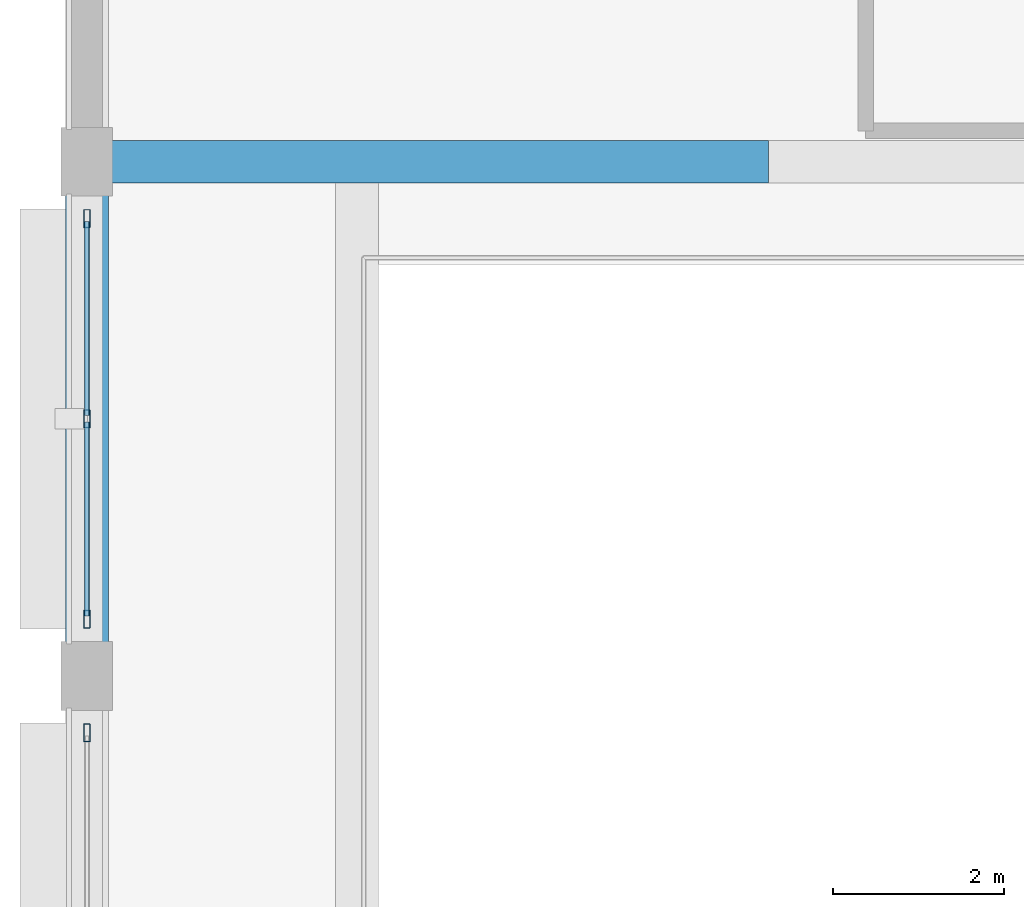
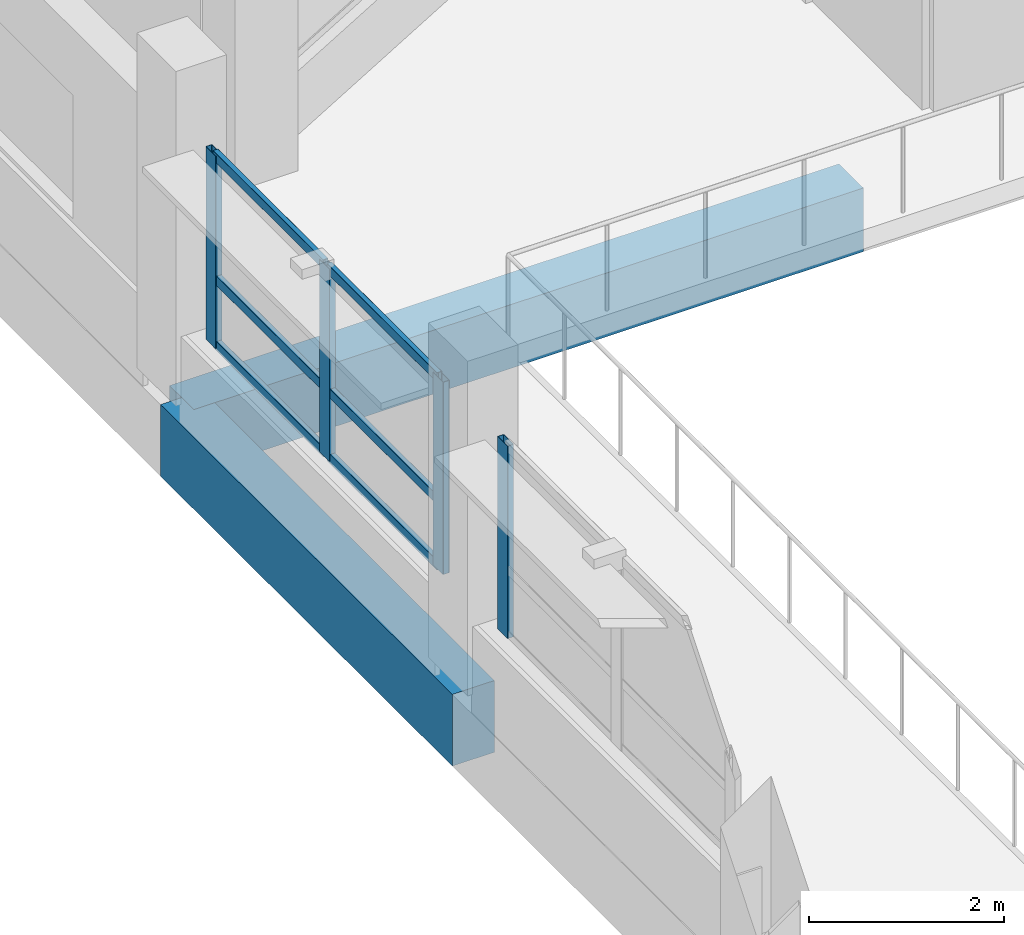
# One storey, part 23 of 128: 10 members, 2 beams, 2 elements without a shape of their own.
"""IFC4 building model written with IfcOpenShell, lengths in metres."""

from ifc_helpers import new_model, si_unit, direction, frame, origin, origin_2d, place, context, subcontext, project, spatial, rectangle, hollow_rectangle, extrude, material, layer, layer_set, material_profile, profile_set, type_object, element, aggregate, save


model = new_model("IFC4")

# Units and contexts
model_context = context("Model", 3, precision=1e-05, world=origin(), true_north=direction((0.0, 1.0)))
body_context = subcontext(model_context, "Body", "Model", "MODEL_VIEW")
ifc_project = project(units=[si_unit("LENGTHUNIT", "METRE"), si_unit("AREAUNIT", "SQUARE_METRE"), si_unit("VOLUMEUNIT", "CUBIC_METRE"), si_unit("PLANEANGLEUNIT", "RADIAN"), si_unit("MASSUNIT", "GRAM", prefix="KILO")], contexts=[model_context])

# Site, building, storey
site_placement = place(None, origin())
site = spatial("IfcSite", under=ifc_project, at=site_placement, CompositionType="ELEMENT")
building_placement = place(site_placement, origin())
building = spatial("IfcBuilding", under=site, at=building_placement, Name="Vespera Passage Community Centre", CompositionType="ELEMENT")
storey_placement = place(building_placement, frame((0.0, 0.0, 4.5)))
storey = spatial("IfcBuildingStorey", under=building, at=storey_placement, Name="L01", CompositionType="ELEMENT", Elevation=4.5)

# Beams
ifc_material_1 = material(Name="Concrete f'c 35 MPa", Category="concrete")
ifc_material_profile_1 = material_profile(ifc_material_1, rectangle(XDim=0.5, YDim=0.800048828125, at=origin_2d()), Name="RC500X800")
ifc_profile_set_1 = profile_set([ifc_material_profile_1], Name="Concrete f'c 35 MPa")
beam_type_1 = type_object("IfcBeamType", Name="BM-G-500X800", PredefinedType="BEAM", material=ifc_profile_set_1)
beam_1_placement = place(storey_placement, frame((4.050048828125, 43.0, -0.639892578125), z_axis=(1.0, 0.0, 0.0), x_axis=(0.0, 1.0, 0.0)))
element("IfcBeam", 1, at=beam_1_placement, inside=storey, type_object=beam_type_1, Name="V1 L01 N Gallery Girder 1", PredefinedType="BEAM", context=body_context, shape_type="SweptSolid", body=[
    extrude(rectangle(XDim=0.5, YDim=0.800048828125, at=origin_2d()), origin(), (0.0, 0.0, 1.0), 7.949951171875),
])
ifc_material_2 = material(Name="Concrete f'c 45 MPa", Category="concrete")
ifc_material_profile_2 = material_profile(ifc_material_2, rectangle(XDim=0.5, YDim=0.89990234375, at=origin_2d()), Name="RC500X900")
ifc_profile_set_2 = profile_set([ifc_material_profile_2], Name="Concrete f'c 45 MPa")
beam_type_2 = type_object("IfcBeamType", Name="BM-SP-500X900E", PredefinedType="SPANDREL", material=ifc_profile_set_2)
beam_2_placement = place(storey_placement, frame((4.050048828125, 37.0, -0.68994140625), z_axis=(0.0, 1.0, 0.0), x_axis=(-1.0, 0.0, 0.0)))
element("IfcBeam", 2, at=beam_2_placement, inside=storey, type_object=beam_type_2, Name="V1 L01 Spandrel W6", PredefinedType="SPANDREL", context=body_context, shape_type="SweptSolid", body=[
    extrude(rectangle(XDim=0.5, YDim=0.89990234375, at=origin_2d()), origin(), (0.0, 0.0, 1.0), 6.0),
])

# Curtain wall, member
ifc_material_3 = material(Name="Anodized aluminium 6063-T6", Category="aluminium")
ifc_layer = layer(ifc_material_3, 0.159912109375)
ifc_layer_set = layer_set([ifc_layer], Name="Anodized aluminium 6063-T6")
curtain_wall_type = type_object("IfcCurtainWallType", Name="CW-84E", PredefinedType="NOTDEFINED", material=ifc_layer_set)
curtain_wall_1_placement = place(storey_placement, origin())
curtain_wall_1 = element("IfcCurtainWall", 3, at=curtain_wall_1_placement, inside=storey, type_object=curtain_wall_type, Name="Main Hall Acoustic Curtain Wall L01 W5", PredefinedType="NOTDEFINED")
ifc_material_4 = material(Name="Anodized aluminium 6063-T6", Category="aluminium")
ifc_material_profile_3 = material_profile(ifc_material_4, hollow_rectangle(XDim=0.074951171875, YDim=0.2099609375, WallThickness=0.0048828125, InnerFilletRadius=0.00244140625, OuterFilletRadius=0.0048828125, at=origin_2d()), Name="ALU210X75X5")
ifc_profile_set_3 = profile_set([ifc_material_profile_3], Name="Anodized aluminium 6063-T6")
member_type_1 = type_object("IfcMemberType", Name="MB-CWM-210E", PredefinedType="MULLION", material=ifc_profile_set_3)
member_1_placement = place(storey_placement, frame((4.050048828125, 36.33740234375, 0.85009765625), z_axis=(0.0, 0.0, 1.0), x_axis=(-1.0, 0.0, 0.0)))
member_1 = element("IfcMember", 4, at=member_1_placement, type_object=member_type_1, Name="CW-84E mullion 3", PredefinedType="MULLION", context=body_context, shape_type="SweptSolid", body=[
    extrude(hollow_rectangle(XDim=0.074951171875, YDim=0.2099609375, WallThickness=0.0048828125, InnerFilletRadius=0.00244140625, OuterFilletRadius=0.0048828125, at=origin_2d()), origin(), (0.0, 0.0, 1.0), 2.414794921875),
])
aggregate(curtain_wall_1, [member_1])

# Curtain wall, members
curtain_wall_2_placement = place(storey_placement, origin())
curtain_wall_2 = element("IfcCurtainWall", 5, at=curtain_wall_2_placement, inside=storey, type_object=curtain_wall_type, Name="Main Hall Acoustic Curtain Wall L01 W6", PredefinedType="NOTDEFINED")
member_2_placement = place(storey_placement, frame((4.050048828125, 37.66259765625, 0.85009765625), z_axis=(0.0, 0.0, 1.0), x_axis=(-1.0, 0.0, 0.0)))
member_2 = element("IfcMember", 6, at=member_2_placement, type_object=member_type_1, Name="CW-84E mullion 1", PredefinedType="MULLION", context=body_context, shape_type="SweptSolid", body=[
    extrude(hollow_rectangle(XDim=0.074951171875, YDim=0.2099609375, WallThickness=0.0048828125, InnerFilletRadius=0.00244140625, OuterFilletRadius=0.0048828125, at=origin_2d()), origin(), (0.0, 0.0, 1.0), 2.414794921875),
])
member_3_placement = place(storey_placement, frame((4.050048828125, 40.0, 0.85009765625), z_axis=(0.0, 0.0, 1.0), x_axis=(-1.0, 0.0, 0.0)))
member_3 = element("IfcMember", 7, at=member_3_placement, type_object=member_type_1, Name="CW-84E mullion 2", PredefinedType="MULLION", context=body_context, shape_type="SweptSolid", body=[
    extrude(hollow_rectangle(XDim=0.074951171875, YDim=0.2099609375, WallThickness=0.0048828125, InnerFilletRadius=0.00244140625, OuterFilletRadius=0.0048828125, at=origin_2d()), origin(), (0.0, 0.0, 1.0), 2.414794921875),
])
member_4_placement = place(storey_placement, frame((4.050048828125, 42.33740234375, 0.85009765625), z_axis=(0.0, 0.0, 1.0), x_axis=(-1.0, 0.0, 0.0)))
member_4 = element("IfcMember", 8, at=member_4_placement, type_object=member_type_1, Name="CW-84E mullion 3", PredefinedType="MULLION", context=body_context, shape_type="SweptSolid", body=[
    extrude(hollow_rectangle(XDim=0.074951171875, YDim=0.2099609375, WallThickness=0.0048828125, InnerFilletRadius=0.00244140625, OuterFilletRadius=0.0048828125, at=origin_2d()), origin(), (0.0, 0.0, 1.0), 2.414794921875),
])
ifc_material_5 = material(Name="Anodized aluminium 6063-T6", Category="aluminium")
ifc_material_profile_4 = material_profile(ifc_material_5, hollow_rectangle(XDim=0.06005859375, YDim=0.1201171875, WallThickness=0.00390625, InnerFilletRadius=0.001953125, OuterFilletRadius=0.00390625, at=origin_2d()), Name="ALU120X60X4")
ifc_profile_set_4 = profile_set([ifc_material_profile_4], Name="Anodized aluminium 6063-T6")
member_type_2 = type_object("IfcMemberType", Name="MB-CWT-120E", PredefinedType="USERDEFINED", material=ifc_profile_set_4)
member_5_placement = place(storey_placement, frame((4.050048828125, 37.699951171875, 0.8798828125), z_axis=(0.0, 1.0, 0.0), x_axis=(-1.0, 0.0, 0.0)))
member_5 = element("IfcMember", 9, at=member_5_placement, type_object=member_type_2, Name="CW-84E transom 1.1", ObjectType="TRANSOM", PredefinedType="USERDEFINED", context=body_context, shape_type="SweptSolid", body=[
    extrude(hollow_rectangle(XDim=0.06005859375, YDim=0.1201171875, WallThickness=0.00390625, InnerFilletRadius=0.001953125, OuterFilletRadius=0.00390625, at=origin_2d()), origin(), (0.0, 0.0, 1.0), 2.262451171875),
])
member_6_placement = place(storey_placement, frame((4.050048828125, 37.699951171875, 1.699951171875), z_axis=(0.0, 1.0, 0.0), x_axis=(-1.0, 0.0, 0.0)))
member_6 = element("IfcMember", 10, at=member_6_placement, type_object=member_type_2, Name="CW-84E transom 1.2", ObjectType="TRANSOM", PredefinedType="USERDEFINED", context=body_context, shape_type="SweptSolid", body=[
    extrude(hollow_rectangle(XDim=0.06005859375, YDim=0.1201171875, WallThickness=0.00390625, InnerFilletRadius=0.001953125, OuterFilletRadius=0.00390625, at=origin_2d()), origin(), (0.0, 0.0, 1.0), 2.262451171875),
])
member_7_placement = place(storey_placement, frame((4.050048828125, 37.699951171875, 3.235107421875), z_axis=(0.0, 1.0, 0.0), x_axis=(-1.0, 0.0, 0.0)))
member_7 = element("IfcMember", 11, at=member_7_placement, type_object=member_type_2, Name="CW-84E transom 1.3", ObjectType="TRANSOM", PredefinedType="USERDEFINED", context=body_context, shape_type="SweptSolid", body=[
    extrude(hollow_rectangle(XDim=0.06005859375, YDim=0.1201171875, WallThickness=0.00390625, InnerFilletRadius=0.001953125, OuterFilletRadius=0.00390625, at=origin_2d()), origin(), (0.0, 0.0, 1.0), 2.262451171875),
])
member_8_placement = place(storey_placement, frame((4.050048828125, 40.03759765625, 0.8798828125), z_axis=(0.0, 1.0, 0.0), x_axis=(-1.0, 0.0, 0.0)))
member_8 = element("IfcMember", 12, at=member_8_placement, type_object=member_type_2, Name="CW-84E transom 2.1", ObjectType="TRANSOM", PredefinedType="USERDEFINED", context=body_context, shape_type="SweptSolid", body=[
    extrude(hollow_rectangle(XDim=0.06005859375, YDim=0.1201171875, WallThickness=0.00390625, InnerFilletRadius=0.001953125, OuterFilletRadius=0.00390625, at=origin_2d()), origin(), (0.0, 0.0, 1.0), 2.262451171875),
])
member_9_placement = place(storey_placement, frame((4.050048828125, 40.03759765625, 1.699951171875), z_axis=(0.0, 1.0, 0.0), x_axis=(-1.0, 0.0, 0.0)))
member_9 = element("IfcMember", 13, at=member_9_placement, type_object=member_type_2, Name="CW-84E transom 2.2", ObjectType="TRANSOM", PredefinedType="USERDEFINED", context=body_context, shape_type="SweptSolid", body=[
    extrude(hollow_rectangle(XDim=0.06005859375, YDim=0.1201171875, WallThickness=0.00390625, InnerFilletRadius=0.001953125, OuterFilletRadius=0.00390625, at=origin_2d()), origin(), (0.0, 0.0, 1.0), 2.262451171875),
])
member_10_placement = place(storey_placement, frame((4.050048828125, 40.03759765625, 3.235107421875), z_axis=(0.0, 1.0, 0.0), x_axis=(-1.0, 0.0, 0.0)))
member_10 = element("IfcMember", 14, at=member_10_placement, type_object=member_type_2, Name="CW-84E transom 2.3", ObjectType="TRANSOM", PredefinedType="USERDEFINED", context=body_context, shape_type="SweptSolid", body=[
    extrude(hollow_rectangle(XDim=0.06005859375, YDim=0.1201171875, WallThickness=0.00390625, InnerFilletRadius=0.001953125, OuterFilletRadius=0.00390625, at=origin_2d()), origin(), (0.0, 0.0, 1.0), 2.262451171875),
])
aggregate(curtain_wall_2, [member_2, member_3, member_4, member_5, member_6, member_7, member_8, member_9, member_10])

save(model, "model.ifc")
